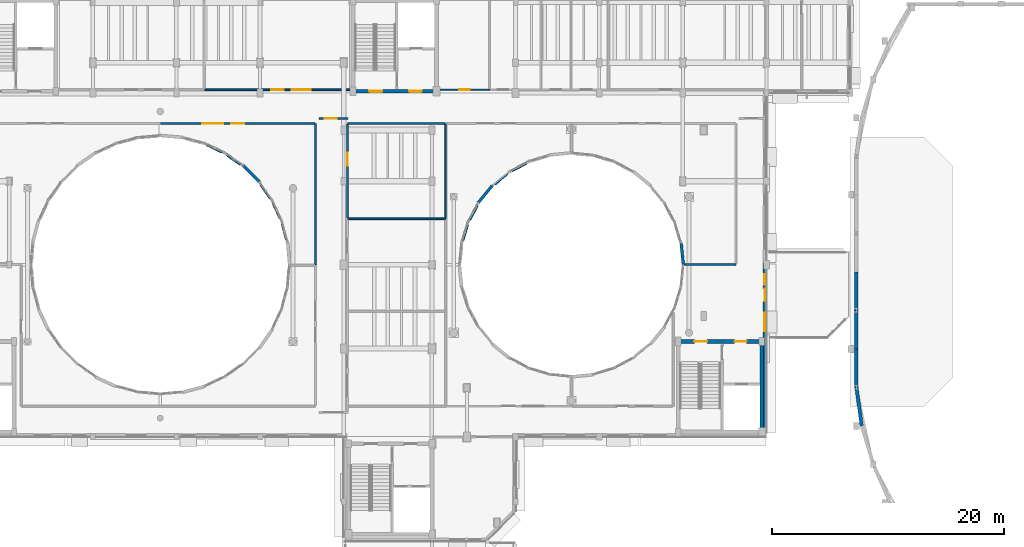
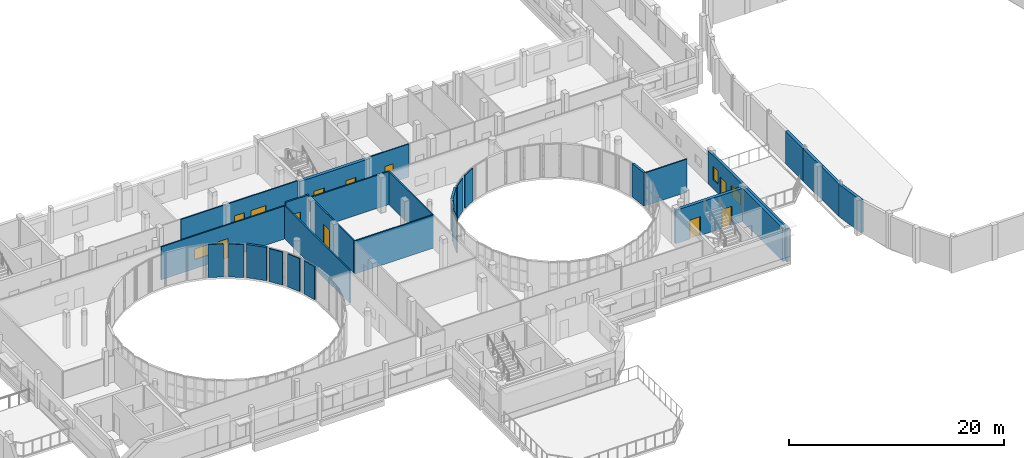
# One storey, part 70 of 89: 30 walls, 10 doors, 4 windows, 14 openings.
"""IFC4 building model written with IfcOpenShell, lengths in metres."""

from ifc_helpers import new_model, si_unit, direction, frame, frame_2d, origin, place, context, subcontext, project, spatial, rectangle, extrude, material, layer, layer_set, type_object, element, fill, save


model = new_model("IFC4")

# Units and contexts
model_context = context("Model", 3, precision=1e-05, world=origin(), true_north=direction((0.0, 1.0)))
body_context = subcontext(model_context, "Body", "Model", "MODEL_VIEW")
ifc_project = project(units=[si_unit("LENGTHUNIT", "METRE"), si_unit("AREAUNIT", "SQUARE_METRE"), si_unit("VOLUMEUNIT", "CUBIC_METRE"), si_unit("PLANEANGLEUNIT", "RADIAN"), si_unit("MASSUNIT", "GRAM", prefix="KILO")], contexts=[model_context])

# Site, building, storey
site_placement = place(None, origin())
site = spatial("IfcSite", under=ifc_project, at=site_placement, CompositionType="ELEMENT")
building_placement = place(site_placement, origin())
building = spatial("IfcBuilding", under=site, at=building_placement, Name="Kelanivale Promenade Academy", CompositionType="ELEMENT")
storey_placement = place(building_placement, frame((0.0, 0.0, 12.199951171875)))
storey = spatial("IfcBuildingStorey", under=building, at=storey_placement, Name="L03", CompositionType="ELEMENT", Elevation=12.199951171875)

# Wall, openings, doors
ifc_material_1 = material(Name="Concrete C40/50", Category="concrete")
ifc_layer_1 = layer(ifc_material_1, 0.330078125)
ifc_layer_set_1 = layer_set([ifc_layer_1], Name="Concrete C40/50")
wall_type_1 = type_object("IfcWallType", Name="CW-S1 Wall 330mm", PredefinedType="SHEAR", material=ifc_layer_set_1)
wall_1_placement = place(storey_placement, frame((79.8349609375, 71.75, 0.0), z_axis=(0.0, 0.0, 1.0), x_axis=(1.0, 0.0, 0.0)))
wall_1 = element("IfcWall", 1, at=wall_1_placement, inside=storey, type_object=wall_type_1, Name="CORE-2 RC shear wall S L03", PredefinedType="SHEAR", context=body_context, shape_type="SweptSolid", body=[
    extrude(rectangle(XDim=7.530029296875, YDim=0.330078125, at=frame_2d((3.76513671875, 0.0))), origin(), (0.0, 0.0, 1.0), 3.780029296875),
])
opening_1_placement = place(wall_1_placement, frame((5.014892578125, 0.0, 0.0)))
opening_1 = element("IfcOpeningElement", 2, at=opening_1_placement, cuts=wall_1, Name="Opening FD-CORE-2-LB-L03", PredefinedType="OPENING", context=body_context, shape_type="SweptSolid", body=[
    extrude(rectangle(XDim=1.050048828125, YDim=2.14990234375, at=frame_2d((0.52490234375, 1.074951171875))), frame((0.0, 0.175048828125, 0.0), z_axis=(0.0, -1.0, 0.0), x_axis=(1.0, 0.0, 0.0)), (0.0, 0.0, 1.0), 0.35009765625),
])
opening_2_placement = place(wall_1_placement, frame((1.56494140625, 0.0, 0.0)))
opening_2 = element("IfcOpeningElement", 3, at=opening_2_placement, cuts=wall_1, Name="Opening FD-CORE-2-ST-L03", PredefinedType="OPENING", context=body_context, shape_type="SweptSolid", body=[
    extrude(rectangle(XDim=1.10009765625, YDim=2.14990234375, at=frame_2d((0.550048828125, 1.074951171875))), frame((0.0, 0.175048828125, 0.0), z_axis=(0.0, -1.0, 0.0), x_axis=(1.0, 0.0, 0.0)), (0.0, 0.0, 1.0), 0.35009765625),
])
ifc_material_2 = material(Name="Fire-rated steel-core teak veneer", Category="steel")
door_type_1 = type_object("IfcDoorType", Name="DT-F01 Door 1100x2150", OperationType="NOTDEFINED", PredefinedType="DOOR", material=ifc_material_2)
door_1_placement = place(opening_2_placement, frame((1.10009765625, 0.0, 0.0), z_axis=(0.0, 0.0, 1.0), x_axis=(-1.0, 0.0, 0.0)))
door_1 = element("IfcDoor", 4, at=door_1_placement, inside=storey, type_object=door_type_1, Name="CORE-2 protected stair fire door L03", OperationType="SINGLE_SWING_RIGHT", OverallHeight=2.14990234375, OverallWidth=1.10009765625, PredefinedType="DOOR", context=body_context, shape_type="SweptSolid", body=[
    extrude(rectangle(XDim=1.10009765625, YDim=2.14990234375, at=frame_2d((0.550048828125, 1.074951171875))), frame((0.0, 0.02490234375, 0.0), z_axis=(0.0, -1.0, 0.0), x_axis=(1.0, 0.0, 0.0)), (0.0, 0.0, 1.0), 0.050048828125),
])
fill(opening_2, door_1)
door_type_2 = type_object("IfcDoorType", Name="DT-F03 Door 1050x2150", OperationType="NOTDEFINED", PredefinedType="DOOR", material=ifc_material_2)
door_2_placement = place(opening_1_placement, origin())
door_2 = element("IfcDoor", 5, at=door_2_placement, inside=storey, type_object=door_type_2, Name="CORE-2 corridor-to-lobby fire door L03", OperationType="SINGLE_SWING_LEFT", OverallHeight=2.14990234375, OverallWidth=1.050048828125, PredefinedType="DOOR", context=body_context, shape_type="SweptSolid", body=[
    extrude(rectangle(XDim=1.050048828125, YDim=2.14990234375, at=frame_2d((0.52490234375, 1.074951171875))), frame((0.0, 0.02490234375, 0.0), z_axis=(0.0, -1.0, 0.0), x_axis=(1.0, 0.0, 0.0)), (0.0, 0.0, 1.0), 0.050048828125),
])
fill(opening_1, door_2)

wall_2_placement = place(storey_placement, frame((107.8349609375, 50.199951171875, 0.0), z_axis=(0.0, 0.0, 1.0), x_axis=(1.0, 0.0, 0.0)))
wall_2 = element("IfcWall", 6, at=wall_2_placement, inside=storey, type_object=wall_type_1, Name="CORE-3 RC shear wall N L03", PredefinedType="SHEAR", context=body_context, shape_type="SweptSolid", body=[
    extrude(rectangle(XDim=7.530029296875, YDim=0.330078125, at=frame_2d((3.76513671875, 0.0))), origin(), (0.0, 0.0, 1.0), 3.780029296875),
])
opening_3_placement = place(wall_2_placement, frame((5.014892578125, 0.0, 0.0)))
opening_3 = element("IfcOpeningElement", 7, at=opening_3_placement, cuts=wall_2, Name="Opening FD-CORE-3-LB-L03", PredefinedType="OPENING", context=body_context, shape_type="SweptSolid", body=[
    extrude(rectangle(XDim=1.050048828125, YDim=2.14990234375, at=frame_2d((0.52490234375, 1.074951171875))), frame((0.0, 0.175048828125, 0.0), z_axis=(0.0, -1.0, 0.0), x_axis=(1.0, 0.0, 0.0)), (0.0, 0.0, 1.0), 0.35009765625),
])
opening_4_placement = place(wall_2_placement, frame((1.56494140625, 0.0, 0.0)))
opening_4 = element("IfcOpeningElement", 8, at=opening_4_placement, cuts=wall_2, Name="Opening FD-CORE-3-ST-L03", PredefinedType="OPENING", context=body_context, shape_type="SweptSolid", body=[
    extrude(rectangle(XDim=1.10009765625, YDim=2.14990234375, at=frame_2d((0.550048828125, 1.074951171875))), frame((0.0, 0.175048828125, 0.0), z_axis=(0.0, -1.0, 0.0), x_axis=(1.0, 0.0, 0.0)), (0.0, 0.0, 1.0), 0.35009765625),
])
door_3_placement = place(opening_4_placement, origin())
door_3 = element("IfcDoor", 9, at=door_3_placement, inside=storey, type_object=door_type_1, Name="CORE-3 protected stair fire door L03", OperationType="SINGLE_SWING_RIGHT", OverallHeight=2.14990234375, OverallWidth=1.10009765625, PredefinedType="DOOR", context=body_context, shape_type="SweptSolid", body=[
    extrude(rectangle(XDim=1.10009765625, YDim=2.14990234375, at=frame_2d((0.550048828125, 1.074951171875))), frame((0.0, 0.02490234375, 0.0), z_axis=(0.0, -1.0, 0.0), x_axis=(1.0, 0.0, 0.0)), (0.0, 0.0, 1.0), 0.050048828125),
])
fill(opening_4, door_3)
door_4_placement = place(opening_3_placement, origin())
door_4 = element("IfcDoor", 10, at=door_4_placement, inside=storey, type_object=door_type_2, Name="CORE-3 corridor-to-lobby fire door L03", OperationType="SINGLE_SWING_LEFT", OverallHeight=2.14990234375, OverallWidth=1.050048828125, PredefinedType="DOOR", context=body_context, shape_type="SweptSolid", body=[
    extrude(rectangle(XDim=1.050048828125, YDim=2.14990234375, at=frame_2d((0.52490234375, 1.074951171875))), frame((0.0, 0.02490234375, 0.0), z_axis=(0.0, -1.0, 0.0), x_axis=(1.0, 0.0, 0.0)), (0.0, 0.0, 1.0), 0.050048828125),
])
fill(opening_3, door_4)

# Walls
wall_3_placement = place(storey_placement, frame((115.199951171875, 42.56494140625, 0.0), z_axis=(0.0, 0.0, 1.0), x_axis=(0.0, 1.0, 0.0)))
element("IfcWall", 11, at=wall_3_placement, inside=storey, type_object=wall_type_1, Name="CORE-3 RC shear wall E L03", PredefinedType="SHEAR", context=body_context, shape_type="SweptSolid", body=[
    extrude(rectangle(XDim=7.469970703125, YDim=0.330078125, at=frame_2d((3.73486328125, 0.0))), origin(), (0.0, 0.0, 1.0), 3.780029296875),
])
ifc_material_3 = material(Name="Insulated terracotta-clad masonry wall 300 mm", Category="masonry")
ifc_layer_2 = layer(ifc_material_3, 0.300048828125)
ifc_layer_set_2 = layer_set([ifc_layer_2], Name="Insulated terracotta-clad masonry wall 300 mm")
wall_type_2 = type_object("IfcWallType", Name="EW-01 Wall 300mm", PredefinedType="SOLIDWALL", material=ifc_layer_set_2)
wall_4_placement = place(storey_placement, frame((123.35009765625, 46.257080078125, 0.0), z_axis=(0.0, 0.0, 1.0), x_axis=(0.134539839792, -0.990908185206, 0.0)))
element("IfcWall", 12, at=wall_4_placement, inside=storey, type_object=wall_type_2, Name="Assembly Hall Arc Pavilion inner crescent wall L03", PredefinedType="SOLIDWALL", context=body_context, shape_type="SweptSolid", body=[
    extrude(rectangle(XDim=3.344482421875, YDim=0.300048828125, at=frame_2d((1.67236328125, 0.0))), origin(), (0.0, 0.0, 1.0), 3.695068359375),
])
wall_5_placement = place(storey_placement, frame((123.35009765625, 49.571044921875, 0.0), z_axis=(0.0, 0.0, 1.0), x_axis=(0.0, -1.0, 0.0)))
element("IfcWall", 13, at=wall_5_placement, inside=storey, type_object=wall_type_2, Name="Assembly Hall Arc Pavilion inner crescent wall L03", PredefinedType="SOLIDWALL", context=body_context, shape_type="SweptSolid", body=[
    extrude(rectangle(XDim=3.31396484375, YDim=0.300048828125, at=frame_2d((1.656982421875, 0.0))), origin(), (0.0, 0.0, 1.0), 3.695068359375),
])
wall_6_placement = place(storey_placement, frame((123.35009765625, 52.885986328125, 0.0), z_axis=(0.0, 0.0, 1.0), x_axis=(0.0, -1.0, 0.0)))
element("IfcWall", 14, at=wall_6_placement, inside=storey, type_object=wall_type_2, Name="Assembly Hall Arc Pavilion inner crescent wall L03", PredefinedType="SOLIDWALL", context=body_context, shape_type="SweptSolid", body=[
    extrude(rectangle(XDim=3.31494140625, YDim=0.300048828125, at=frame_2d((1.657470703125, 0.0))), origin(), (0.0, 0.0, 1.0), 3.695068359375),
])
wall_7_placement = place(storey_placement, frame((123.35009765625, 56.199951171875, 0.0), z_axis=(0.0, 0.0, 1.0), x_axis=(0.0, -1.0, 0.0)))
element("IfcWall", 15, at=wall_7_placement, inside=storey, type_object=wall_type_2, Name="Assembly Hall Arc Pavilion inner crescent wall L03", PredefinedType="SOLIDWALL", context=body_context, shape_type="SweptSolid", body=[
    extrude(rectangle(XDim=3.31396484375, YDim=0.300048828125, at=frame_2d((1.656982421875, 0.0))), origin(), (0.0, 0.0, 1.0), 3.695068359375),
])

# Wall, openings, door, windows
ifc_material_4 = material(Name="Insulated ivory stucco masonry wall 280 mm", Category="masonry")
ifc_layer_3 = layer(ifc_material_4, 0.280029296875)
ifc_layer_set_3 = layer_set([ifc_layer_3], Name="Insulated ivory stucco masonry wall 280 mm")
wall_type_3 = type_object("IfcWallType", Name="EW-02 Wall 280mm", PredefinedType="SOLIDWALL", material=ifc_layer_set_3)
wall_8_placement = place(storey_placement, frame((115.4599609375, 42.280029296875, 0.0), z_axis=(0.0, 0.0, 1.0), x_axis=(0.0, 1.0, 0.0)))
wall_8 = element("IfcWall", 16, at=wall_8_placement, inside=storey, type_object=wall_type_3, Name="L03 exterior facade wall EW-L03-ORT-0470", PredefinedType="SOLIDWALL", context=body_context, shape_type="SweptSolid", body=[
    extrude(rectangle(XDim=14.659912109375, YDim=0.280029296875, at=frame_2d((7.330078125, 0.0))), origin(), (0.0, 0.0, 1.0), 3.780029296875),
])
opening_5_placement = place(wall_8_placement, frame((11.3701171875, 0.0, 0.0)))
opening_5 = element("IfcOpeningElement", 17, at=opening_5_placement, cuts=wall_8, Name="Opening XD-303", PredefinedType="OPENING", context=body_context, shape_type="SweptSolid", body=[
    extrude(rectangle(XDim=1.10009765625, YDim=2.14990234375, at=frame_2d((0.550048828125, 1.074951171875))), frame((0.0, 0.14990234375, 0.0), z_axis=(0.0, -1.0, 0.0), x_axis=(1.0, 0.0, 0.0)), (0.0, 0.0, 1.0), 0.300048828125),
])
opening_6_placement = place(wall_8_placement, frame((8.81201171875, 0.0, 1.050048828125)))
opening_6 = element("IfcOpeningElement", 18, at=opening_6_placement, cuts=wall_8, Name="Opening WT-07", PredefinedType="OPENING", context=body_context, shape_type="SweptSolid", body=[
    extrude(rectangle(XDim=1.60009765625, YDim=1.35009765625, at=frame_2d((0.800048828125, 0.675048828125))), frame((0.0, 0.14990234375, 0.0), z_axis=(0.0, -1.0, 0.0), x_axis=(1.0, 0.0, 0.0)), (0.0, 0.0, 1.0), 0.300048828125),
])
opening_7_placement = place(wall_8_placement, frame((12.826904296875, 0.0, 1.050048828125)))
opening_7 = element("IfcOpeningElement", 19, at=opening_7_placement, cuts=wall_8, Name="Opening WT-06", PredefinedType="OPENING", context=body_context, shape_type="SweptSolid", body=[
    extrude(rectangle(XDim=0.89990234375, YDim=1.5, at=frame_2d((0.449951171875, 0.75))), frame((0.0, 0.14990234375, 0.0), z_axis=(0.0, -1.0, 0.0), x_axis=(1.0, 0.0, 0.0)), (0.0, 0.0, 1.0), 0.300048828125),
])
ifc_material_5 = material(Name="Bronze anodised aluminium and laminated glass", Category="aluminium")
door_type_3 = type_object("IfcDoorType", Name="DT-X07 Door 1100x2150", OperationType="NOTDEFINED", PredefinedType="DOOR", material=ifc_material_5)
door_5_placement = place(opening_5_placement, frame((1.10009765625, 0.0, 0.0), z_axis=(0.0, 0.0, 1.0), x_axis=(-1.0, 0.0, 0.0)))
door_5 = element("IfcDoor", 20, at=door_5_placement, inside=storey, type_object=door_type_3, Name="L03 Assembly Shoulder Observation Deck door XD-303", OperationType="SINGLE_SWING_RIGHT", OverallHeight=2.14990234375, OverallWidth=1.10009765625, PredefinedType="DOOR", context=body_context, shape_type="SweptSolid", body=[
    extrude(rectangle(XDim=1.10009765625, YDim=2.14990234375, at=frame_2d((0.550048828125, 1.074951171875))), frame((0.0, 0.02490234375, 0.0), z_axis=(0.0, -1.0, 0.0), x_axis=(1.0, 0.0, 0.0)), (0.0, 0.0, 1.0), 0.050048828125),
])
fill(opening_5, door_5)
ifc_material_6 = material(Name="Bronze anodised aluminium frame with low-E laminated glass", Category="aluminium")
window_type_1 = type_object("IfcWindowType", Name="WT-06 Window 900x1500", PartitioningType="SINGLE_PANEL", PredefinedType="WINDOW", material=ifc_material_6)
window_1_placement = place(opening_7_placement, origin())
window_1 = element("IfcWindow", 21, at=window_1_placement, inside=storey, type_object=window_type_1, Name="Window WT-06", OverallHeight=1.5, OverallWidth=0.89990234375, PartitioningType="SINGLE_PANEL", PredefinedType="WINDOW", context=body_context, shape_type="SweptSolid", body=[
    extrude(rectangle(XDim=0.89990234375, YDim=1.5, at=frame_2d((0.449951171875, 0.75))), frame((0.0, 0.030029296875, 0.0), z_axis=(0.0, -1.0, 0.0), x_axis=(1.0, 0.0, 0.0)), (0.0, 0.0, 1.0), 0.06005859375),
])
fill(opening_7, window_1)
window_type_2 = type_object("IfcWindowType", Name="WT-07 Window 1600x1350", PartitioningType="SINGLE_PANEL", PredefinedType="WINDOW", material=ifc_material_6)
window_2_placement = place(opening_6_placement, origin())
window_2 = element("IfcWindow", 22, at=window_2_placement, inside=storey, type_object=window_type_2, Name="Window WT-07", OverallHeight=1.35009765625, OverallWidth=1.60009765625, PartitioningType="SINGLE_PANEL", PredefinedType="WINDOW", context=body_context, shape_type="SweptSolid", body=[
    extrude(rectangle(XDim=1.60009765625, YDim=1.35009765625, at=frame_2d((0.800048828125, 0.675048828125))), frame((0.0, 0.030029296875, 0.0), z_axis=(0.0, -1.0, 0.0), x_axis=(1.0, 0.0, 0.0)), (0.0, 0.0, 1.0), 0.06005859375),
])
fill(opening_6, window_2)

# Walls
ifc_material_7 = material(Name="Insulated courtyard stucco masonry wall 240 mm", Category="masonry")
ifc_layer_4 = layer(ifc_material_7, 0.239990234375)
ifc_layer_set_4 = layer_set([ifc_layer_4], Name="Insulated courtyard stucco masonry wall 240 mm")
wall_type_4 = type_object("IfcWallType", Name="EW-04 Wall 240mm", PredefinedType="SOLIDWALL", material=ifc_layer_set_4)
wall_9_placement = place(storey_placement, frame((91.989990234375, 63.6259765625, 0.0), z_axis=(0.0, 0.0, 1.0), x_axis=(-0.634363572305, -0.773034836299, 0.0)))
element("IfcWall", 23, at=wall_9_placement, inside=storey, type_object=wall_type_4, Name="L03 round courtyard stucco wall", PredefinedType="SOLIDWALL", context=body_context, shape_type="SweptSolid", body=[
    extrude(rectangle(XDim=1.911865234375, YDim=0.239990234375, at=frame_2d((0.9560546875, 0.0))), origin(), (0.0, 0.0, 1.0), 3.780029296875),
])
wall_10_placement = place(storey_placement, frame((108.44091796875, 56.7890625, 0.0), z_axis=(0.0, 0.0, 1.0), x_axis=(-0.097809488078, 0.99520515676, 0.0)))
element("IfcWall", 24, at=wall_10_placement, inside=storey, type_object=wall_type_4, Name="L03 round courtyard stucco wall", PredefinedType="SOLIDWALL", context=body_context, shape_type="SweptSolid", body=[
    extrude(rectangle(XDim=1.912109375, YDim=0.239990234375, at=frame_2d((0.9560546875, 0.0))), origin(), (0.0, 0.0, 1.0), 3.780029296875),
])
wall_11_placement = place(storey_placement, frame((71.943115234375, 63.951904296875, 0.0), z_axis=(0.0, 0.0, 1.0), x_axis=(-0.707106781187, 0.707106781187, 0.0)))
element("IfcWall", 25, at=wall_11_placement, inside=storey, type_object=wall_type_4, Name="L03 round courtyard stucco wall", PredefinedType="SOLIDWALL", context=body_context, shape_type="SweptSolid", body=[
    extrude(rectangle(XDim=1.96728515625, YDim=0.239990234375, at=frame_2d((0.983642578125, 0.0))), origin(), (0.0, 0.0, 1.0), 3.780029296875),
])

# Wall, opening, door
ifc_material_8 = material(Name="Autoclaved masonry blockwork 180 mm", Category="masonry")
ifc_layer_5 = layer(ifc_material_8, 0.179931640625)
ifc_layer_set_5 = layer_set([ifc_layer_5], Name="Autoclaved masonry blockwork 180 mm")
wall_type_5 = type_object("IfcWallType", Name="IW-02 Wall 180mm", PredefinedType="PARTITIONING", material=ifc_layer_set_5)
wall_12_placement = place(storey_placement, frame((77.050048828125, 69.39990234375, 0.0), z_axis=(0.0, 0.0, 1.0), x_axis=(1.0, 0.0, 0.0)))
wall_12 = element("IfcWall", 26, at=wall_12_placement, inside=storey, type_object=wall_type_5, Name="L03 cross-corridor fire wall", PredefinedType="PARTITIONING", context=body_context, shape_type="SweptSolid", body=[
    extrude(rectangle(XDim=2.5, YDim=0.179931640625, at=frame_2d((1.25, 0.0))), origin(), (0.0, 0.0, 1.0), 3.780029296875),
])
opening_8_placement = place(wall_12_placement, frame((0.507080078125, 0.0, 0.0)))
opening_8 = element("IfcOpeningElement", 27, at=opening_8_placement, cuts=wall_12, Name="Opening FD-L03-CC-145", PredefinedType="OPENING", context=body_context, shape_type="SweptSolid", body=[
    extrude(rectangle(XDim=1.050048828125, YDim=2.14990234375, at=frame_2d((0.52490234375, 1.074951171875))), frame((0.0, 0.10009765625, 0.0), z_axis=(0.0, -1.0, 0.0), x_axis=(1.0, 0.0, 0.0)), (0.0, 0.0, 1.0), 0.199951171875),
])
door_6_placement = place(opening_8_placement, origin())
door_6 = element("IfcDoor", 28, at=door_6_placement, inside=storey, type_object=door_type_2, Name="L03 cross-corridor fire door FD-L03-CC-145", OperationType="SINGLE_SWING_LEFT", OverallHeight=2.14990234375, OverallWidth=1.050048828125, PredefinedType="DOOR", context=body_context, shape_type="SweptSolid", body=[
    extrude(rectangle(XDim=1.050048828125, YDim=2.14990234375, at=frame_2d((0.52490234375, 1.074951171875))), frame((0.0, 0.02490234375, 0.0), z_axis=(0.0, -1.0, 0.0), x_axis=(1.0, 0.0, 0.0)), (0.0, 0.0, 1.0), 0.050048828125),
])
fill(opening_8, door_6)

# Walls
ifc_material_9 = material(Name="Acoustic double-stud gypsum board partition 140 mm", Category="masonry")
ifc_layer_6 = layer(ifc_material_9, 0.139892578125)
ifc_layer_set_6 = layer_set([ifc_layer_6], Name="Acoustic double-stud gypsum board partition 140 mm")
wall_type_6 = type_object("IfcWallType", Name="IW-04 Wall 140mm", PredefinedType="PARTITIONING", material=ifc_layer_set_6)
wall_13_placement = place(storey_placement, frame((87.969970703125, 60.77001953125, 0.0), z_axis=(0.0, 0.0, 1.0), x_axis=(-1.0, 0.0, 0.0)))
element("IfcWall", 29, at=wall_13_placement, inside=storey, type_object=wall_type_6, Name="L03 partition Art Studio", PredefinedType="PARTITIONING", context=body_context, shape_type="SweptSolid", body=[
    extrude(rectangle(XDim=8.43994140625, YDim=0.139892578125, at=frame_2d((4.219970703125, 0.0))), origin(), (0.0, 0.0, 1.0), 3.755126953125),
])
wall_14_placement = place(storey_placement, frame((87.969970703125, 60.837890625, 0.0), z_axis=(0.0, 0.0, 1.0), x_axis=(0.0, 1.0, 0.0)))
element("IfcWall", 30, at=wall_14_placement, inside=storey, type_object=wall_type_6, Name="L03 partition Ceramics Workshop", PredefinedType="PARTITIONING", context=body_context, shape_type="SweptSolid", body=[
    extrude(rectangle(XDim=8.132080078125, YDim=0.139892578125, at=frame_2d((4.06591796875, 0.0))), origin(), (0.0, 0.0, 1.0), 3.755126953125),
])
wall_15_placement = place(storey_placement, frame((87.902099609375, 68.969970703125, 0.0), z_axis=(0.0, 0.0, 1.0), x_axis=(-1.0, 0.0, 0.0)))
element("IfcWall", 31, at=wall_15_placement, inside=storey, type_object=wall_type_6, Name="L03 partition Ceramics Workshop", PredefinedType="PARTITIONING", context=body_context, shape_type="SweptSolid", body=[
    extrude(rectangle(XDim=8.3720703125, YDim=0.139892578125, at=frame_2d((4.18603515625, 0.0))), origin(), (0.0, 0.0, 1.0), 3.755126953125),
])

# Wall, opening, door
wall_16_placement = place(storey_placement, frame((79.530029296875, 68.902099609375, 0.0), z_axis=(0.0, 0.0, 1.0), x_axis=(0.0, -1.0, 0.0)))
wall_16 = element("IfcWall", 32, at=wall_16_placement, inside=storey, type_object=wall_type_6, Name="L03 partition Ceramics Workshop", PredefinedType="PARTITIONING", context=body_context, shape_type="SweptSolid", body=[
    extrude(rectangle(XDim=8.064208984375, YDim=0.139892578125, at=frame_2d((4.0322265625, 0.0))), origin(), (0.0, 0.0, 1.0), 3.755126953125),
])
opening_9_placement = place(wall_16_placement, frame((2.429931640625, 0.0, 0.0)))
opening_9 = element("IfcOpeningElement", 33, at=opening_9_placement, cuts=wall_16, Name="Opening ID-L03-152", PredefinedType="OPENING", context=body_context, shape_type="SweptSolid", body=[
    extrude(rectangle(XDim=1.1201171875, YDim=2.179931640625, at=frame_2d((0.56005859375, 1.08984375))), frame((0.0, 0.080078125, 0.0), z_axis=(0.0, -1.0, 0.0), x_axis=(1.0, 0.0, 0.0)), (0.0, 0.0, 1.0), 0.159912109375),
])
ifc_material_10 = material(Name="Solid-core tropical teak timber", Category="wood")
door_type_4 = type_object("IfcDoorType", Name="DT-I17 Door 1120x2180", OperationType="NOTDEFINED", PredefinedType="DOOR", material=ifc_material_10)
door_7_placement = place(opening_9_placement, origin())
door_7 = element("IfcDoor", 34, at=door_7_placement, inside=storey, type_object=door_type_4, Name="Ceramics Workshop door ID-L03-152", OperationType="SINGLE_SWING_LEFT", OverallHeight=2.179931640625, OverallWidth=1.1201171875, PredefinedType="DOOR", context=body_context, shape_type="SweptSolid", body=[
    extrude(rectangle(XDim=1.1201171875, YDim=2.179931640625, at=frame_2d((0.56005859375, 1.08984375))), frame((0.0, 0.02490234375, 0.0), z_axis=(0.0, -1.0, 0.0), x_axis=(1.0, 0.0, 0.0)), (0.0, 0.0, 1.0), 0.050048828125),
])
fill(opening_9, door_7)

# Walls
wall_17_placement = place(storey_placement, frame((73.8701171875, 60.3359375, 0.0), z_axis=(0.0, 0.0, 1.0), x_axis=(0.258491202719, -0.966013611766, 0.0)))
element("IfcWall", 35, at=wall_17_placement, inside=storey, type_object=wall_type_6, Name="L03 partition Ceramics Workshop Courtyard North", PredefinedType="PARTITIONING", context=body_context, shape_type="SweptSolid", body=[
    extrude(rectangle(XDim=1.412109375, YDim=0.139892578125, at=frame_2d((0.7060546875, 0.0))), origin(), (0.0, 0.0, 1.0), 3.755126953125),
])
wall_18_placement = place(storey_placement, frame((76.77001953125, 56.830078125, 0.0), z_axis=(0.0, 0.0, 1.0), x_axis=(0.0, 1.0, 0.0)))
element("IfcWall", 36, at=wall_18_placement, inside=storey, type_object=wall_type_6, Name="L03 partition Ceramics Workshop Courtyard North", PredefinedType="PARTITIONING", context=body_context, shape_type="SweptSolid", body=[
    extrude(rectangle(XDim=12.139892578125, YDim=0.139892578125, at=frame_2d((6.06982421875, 0.0))), origin(), (0.0, 0.0, 1.0), 3.755126953125),
])

# Wall, openings, door, window
wall_19_placement = place(storey_placement, frame((76.701904296875, 68.969970703125, 0.0), z_axis=(0.0, 0.0, 1.0), x_axis=(-1.0, 0.0, 0.0)))
wall_19 = element("IfcWall", 37, at=wall_19_placement, inside=storey, type_object=wall_type_6, Name="L03 partition Ceramics Workshop Courtyard North", PredefinedType="PARTITIONING", context=body_context, shape_type="SweptSolid", body=[
    extrude(rectangle(XDim=13.27197265625, YDim=0.139892578125, at=frame_2d((6.635986328125, 0.0))), origin(), (0.0, 0.0, 1.0), 3.755126953125),
])
opening_10_placement = place(wall_19_placement, frame((6.075927734375, 0.0, 0.0)))
opening_10 = element("IfcOpeningElement", 38, at=opening_10_placement, cuts=wall_19, Name="Opening ID-L03-156", PredefinedType="OPENING", context=body_context, shape_type="SweptSolid", body=[
    extrude(rectangle(XDim=1.1201171875, YDim=2.179931640625, at=frame_2d((0.56005859375, 1.08984375))), frame((0.0, 0.080078125, 0.0), z_axis=(0.0, -1.0, 0.0), x_axis=(1.0, 0.0, 0.0)), (0.0, 0.0, 1.0), 0.159912109375),
])
opening_11_placement = place(wall_19_placement, frame((7.89599609375, 0.0, 1.050048828125)))
opening_11 = element("IfcOpeningElement", 39, at=opening_11_placement, cuts=wall_19, Name="Opening WT-I02", PredefinedType="OPENING", context=body_context, shape_type="SweptSolid", body=[
    extrude(rectangle(XDim=1.800048828125, YDim=1.199951171875, at=frame_2d((0.89990234375, 0.60009765625))), frame((0.0, 0.080078125, 0.0), z_axis=(0.0, -1.0, 0.0), x_axis=(1.0, 0.0, 0.0)), (0.0, 0.0, 1.0), 0.159912109375),
])
door_8_placement = place(opening_10_placement, origin())
door_8 = element("IfcDoor", 40, at=door_8_placement, inside=storey, type_object=door_type_4, Name="Ceramics Workshop Courtyard North door ID-L03-156", OperationType="SINGLE_SWING_LEFT", OverallHeight=2.179931640625, OverallWidth=1.1201171875, PredefinedType="DOOR", context=body_context, shape_type="SweptSolid", body=[
    extrude(rectangle(XDim=1.1201171875, YDim=2.179931640625, at=frame_2d((0.56005859375, 1.08984375))), frame((0.0, 0.02490234375, 0.0), z_axis=(0.0, -1.0, 0.0), x_axis=(1.0, 0.0, 0.0)), (0.0, 0.0, 1.0), 0.050048828125),
])
fill(opening_10, door_8)
window_type_3 = type_object("IfcWindowType", Name="WT-I02 Window 1800x1200", PartitioningType="SINGLE_PANEL", PredefinedType="WINDOW", material=ifc_material_6)
window_3_placement = place(opening_11_placement, origin())
window_3 = element("IfcWindow", 41, at=window_3_placement, inside=storey, type_object=window_type_3, Name="Interior observation window WT-I02", OverallHeight=1.199951171875, OverallWidth=1.800048828125, PartitioningType="SINGLE_PANEL", PredefinedType="WINDOW", context=body_context, shape_type="SweptSolid", body=[
    extrude(rectangle(XDim=1.800048828125, YDim=1.199951171875, at=frame_2d((0.89990234375, 0.60009765625))), frame((0.0, 0.030029296875, 0.0), z_axis=(0.0, -1.0, 0.0), x_axis=(1.0, 0.0, 0.0)), (0.0, 0.0, 1.0), 0.06005859375),
])
fill(opening_11, window_3)

# Walls
wall_20_placement = place(storey_placement, frame((67.4208984375, 67.093994140625, 0.0), z_axis=(0.0, 0.0, 1.0), x_axis=(0.906032979506, -0.423207088844, 0.0)))
element("IfcWall", 42, at=wall_20_placement, inside=storey, type_object=wall_type_6, Name="L03 partition Ceramics Workshop Courtyard North", PredefinedType="PARTITIONING", context=body_context, shape_type="SweptSolid", body=[
    extrude(rectangle(XDim=1.412841796875, YDim=0.139892578125, at=frame_2d((0.70654296875, 0.0))), origin(), (0.0, 0.0, 1.0), 3.755126953125),
])
for number, where, z_axis, x_axis, name in (
    (43, (69.14697265625, 66.239013671875, 0.0), (0.0, 0.0, 1.0), (0.819077743108, -0.57368253481, 0.0), "L03 partition Ceramics Workshop Courtyard North"),
    (44, (72.028076171875, 63.705078125, 0.0), (0.0, 0.0, 1.0), (0.57368253481, -0.819077743108, 0.0), "L03 partition Ceramics Workshop Courtyard North"),
):
    element("IfcWall", number, at=place(storey_placement, frame(where, z_axis=z_axis, x_axis=x_axis)), inside=storey, type_object=wall_type_6, Name=name, PredefinedType="PARTITIONING", context=body_context, shape_type="SweptSolid", body=[
        extrude(rectangle(XDim=1.413818359375, YDim=0.139892578125, at=frame_2d((0.70703125, 0.0))), origin(), (0.0, 0.0, 1.0), 3.755126953125),
    ])
wall_21_placement = place(storey_placement, frame((73.095947265625, 62.10107421875, 0.0), z_axis=(0.0, 0.0, 1.0), x_axis=(0.423348930736, -0.905966711775, 0.0)))
element("IfcWall", 45, at=wall_21_placement, inside=storey, type_object=wall_type_6, Name="L03 partition Ceramics Workshop Courtyard North", PredefinedType="PARTITIONING", context=body_context, shape_type="SweptSolid", body=[
    extrude(rectangle(XDim=1.412841796875, YDim=0.139892578125, at=frame_2d((0.70654296875, 0.0))), origin(), (0.0, 0.0, 1.0), 3.755126953125),
])
wall_22_placement = place(storey_placement, frame((108.555908203125, 56.830078125, 0.0), z_axis=(0.0, 0.0, 1.0), x_axis=(1.0, 0.0, 0.0)))
element("IfcWall", 46, at=wall_22_placement, inside=storey, type_object=wall_type_6, Name="L03 partition Art Studio East B", PredefinedType="PARTITIONING", context=body_context, shape_type="SweptSolid", body=[
    extrude(rectangle(XDim=4.4140625, YDim=0.139892578125, at=frame_2d((2.20703125, 0.0))), origin(), (0.0, 0.0, 1.0), 3.755126953125),
])
wall_23_placement = place(storey_placement, frame((92.23291015625, 63.73193359375, 0.0), z_axis=(0.0, 0.0, 1.0), x_axis=(0.772962530207, 0.634451674201, 0.0)))
element("IfcWall", 47, at=wall_23_placement, inside=storey, type_object=wall_type_6, Name="L03 partition Art Studio Courtyard East-North", PredefinedType="PARTITIONING", context=body_context, shape_type="SweptSolid", body=[
    extrude(rectangle(XDim=1.357177734375, YDim=0.139892578125, at=frame_2d((0.6787109375, 0.0))), origin(), (0.0, 0.0, 1.0), 3.755126953125),
])
wall_24_placement = place(storey_placement, frame((93.7119140625, 64.8798828125, 0.0), z_axis=(0.0, 0.0, 1.0), x_axis=(0.882123740571, 0.471017734614, 0.0)))
element("IfcWall", 48, at=wall_24_placement, inside=storey, type_object=wall_type_6, Name="L03 partition Art Studio Courtyard East-North", PredefinedType="PARTITIONING", context=body_context, shape_type="SweptSolid", body=[
    extrude(rectangle(XDim=1.35693359375, YDim=0.139892578125, at=frame_2d((0.678466796875, 0.0))), origin(), (0.0, 0.0, 1.0), 3.755126953125),
])
wall_25_placement = place(storey_placement, frame((89.489013671875, 58.9150390625, 0.0), z_axis=(0.0, 0.0, 1.0), x_axis=(0.290266939661, 0.956945716193, 0.0)))
element("IfcWall", 49, at=wall_25_placement, inside=storey, type_object=wall_type_6, Name="L03 partition Art Studio Courtyard East-North", PredefinedType="PARTITIONING", context=body_context, shape_type="SweptSolid", body=[
    extrude(rectangle(XDim=1.357421875, YDim=0.139892578125, at=frame_2d((0.6787109375, 0.0))), origin(), (0.0, 0.0, 1.0), 3.755126953125),
])
wall_26_placement = place(storey_placement, frame((90.0810546875, 60.69091796875, 0.0), z_axis=(0.0, 0.0, 1.0), x_axis=(0.470877717269, 0.882198489785, 0.0)))
element("IfcWall", 50, at=wall_26_placement, inside=storey, type_object=wall_type_6, Name="L03 partition Art Studio Courtyard East-North", PredefinedType="PARTITIONING", context=body_context, shape_type="SweptSolid", body=[
    extrude(rectangle(XDim=1.35693359375, YDim=0.139892578125, at=frame_2d((0.678466796875, 0.0))), origin(), (0.0, 0.0, 1.0), 3.755126953125),
])

# Wall, openings, door, window
wall_27_placement = place(storey_placement, frame((67.22998046875, 71.8798828125, 0.0), z_axis=(0.0, 0.0, 1.0), x_axis=(1.0, 0.0, 0.0)))
wall_27 = element("IfcWall", 51, at=wall_27_placement, inside=storey, type_object=wall_type_6, Name="L03 partition Secondary Classroom North 2", PredefinedType="PARTITIONING", context=body_context, shape_type="SweptSolid", body=[
    extrude(rectangle(XDim=12.5400390625, YDim=0.139892578125, at=frame_2d((6.27001953125, 0.0))), origin(), (0.0, 0.0, 1.0), 3.775146484375),
])
opening_12_placement = place(wall_27_placement, frame((5.72998046875, 0.0, 0.0)))
opening_12 = element("IfcOpeningElement", 52, at=opening_12_placement, cuts=wall_27, Name="Opening ID-L03-167", PredefinedType="OPENING", context=body_context, shape_type="SweptSolid", body=[
    extrude(rectangle(XDim=1.080078125, YDim=2.159912109375, at=frame_2d((0.5400390625, 1.080078125))), frame((0.0, 0.080078125, 0.0), z_axis=(0.0, -1.0, 0.0), x_axis=(1.0, 0.0, 0.0)), (0.0, 0.0, 1.0), 0.159912109375),
])
opening_13_placement = place(wall_27_placement, frame((7.510009765625, 0.0, 1.050048828125)))
opening_13 = element("IfcOpeningElement", 53, at=opening_13_placement, cuts=wall_27, Name="Opening WT-I01", PredefinedType="OPENING", context=body_context, shape_type="SweptSolid", body=[
    extrude(rectangle(XDim=1.60009765625, YDim=1.10009765625, at=frame_2d((0.800048828125, 0.550048828125))), frame((0.0, 0.080078125, 0.0), z_axis=(0.0, -1.0, 0.0), x_axis=(1.0, 0.0, 0.0)), (0.0, 0.0, 1.0), 0.159912109375),
])
door_type_5 = type_object("IfcDoorType", Name="DT-I16 Door 1080x2160", OperationType="NOTDEFINED", PredefinedType="DOOR", material=ifc_material_10)
door_9_placement = place(opening_12_placement, origin())
door_9 = element("IfcDoor", 54, at=door_9_placement, inside=storey, type_object=door_type_5, Name="Secondary Classroom North 2 door ID-L03-167", OperationType="SINGLE_SWING_LEFT", OverallHeight=2.159912109375, OverallWidth=1.080078125, PredefinedType="DOOR", context=body_context, shape_type="SweptSolid", body=[
    extrude(rectangle(XDim=1.080078125, YDim=2.159912109375, at=frame_2d((0.5400390625, 1.080078125))), frame((0.0, 0.02490234375, 0.0), z_axis=(0.0, -1.0, 0.0), x_axis=(1.0, 0.0, 0.0)), (0.0, 0.0, 1.0), 0.050048828125),
])
fill(opening_12, door_9)
window_type_4 = type_object("IfcWindowType", Name="WT-I01 Window 1600x1100", PartitioningType="SINGLE_PANEL", PredefinedType="WINDOW", material=ifc_material_6)
window_4_placement = place(opening_13_placement, origin())
window_4 = element("IfcWindow", 55, at=window_4_placement, inside=storey, type_object=window_type_4, Name="Interior observation window WT-I01", OverallHeight=1.10009765625, OverallWidth=1.60009765625, PartitioningType="SINGLE_PANEL", PredefinedType="WINDOW", context=body_context, shape_type="SweptSolid", body=[
    extrude(rectangle(XDim=1.60009765625, YDim=1.10009765625, at=frame_2d((0.800048828125, 0.550048828125))), frame((0.0, 0.030029296875, 0.0), z_axis=(0.0, -1.0, 0.0), x_axis=(1.0, 0.0, 0.0)), (0.0, 0.0, 1.0), 0.06005859375),
])
fill(opening_13, window_4)

# Wall, opening, door
ifc_material_11 = material(Name="Moisture-resistant masonry wet-room partition 125 mm", Category="masonry")
ifc_layer_7 = layer(ifc_material_11, 0.125)
ifc_layer_set_7 = layer_set([ifc_layer_7], Name="Moisture-resistant masonry wet-room partition 125 mm")
wall_type_7 = type_object("IfcWallType", Name="IW-05 Wall 125mm", PredefinedType="PARTITIONING", material=ifc_layer_set_7)
wall_28_placement = place(storey_placement, frame((87.429931640625, 71.8798828125, 0.0), z_axis=(0.0, 0.0, 1.0), x_axis=(1.0, 0.0, 0.0)))
wall_28 = element("IfcWall", 56, at=wall_28_placement, inside=storey, type_object=wall_type_7, Name="L03 partition Boys Washroom", PredefinedType="PARTITIONING", context=body_context, shape_type="SweptSolid", body=[
    extrude(rectangle(XDim=4.340087890625, YDim=0.125, at=frame_2d((2.169921875, 0.0))), origin(), (0.0, 0.0, 1.0), 3.775146484375),
])
opening_14_placement = place(wall_28_placement, frame((1.719970703125, 0.0, 0.0)))
opening_14 = element("IfcOpeningElement", 57, at=opening_14_placement, cuts=wall_28, Name="Opening ID-L03-161", PredefinedType="OPENING", context=body_context, shape_type="SweptSolid", body=[
    extrude(rectangle(XDim=0.89990234375, YDim=2.10009765625, at=frame_2d((0.449951171875, 1.050048828125))), frame((0.0, 0.072509765625, 0.0), z_axis=(0.0, -1.0, 0.0), x_axis=(1.0, 0.0, 0.0)), (0.0, 0.0, 1.0), 0.14501953125),
])
door_type_6 = type_object("IfcDoorType", Name="DT-I06 Door 900x2100", OperationType="NOTDEFINED", PredefinedType="DOOR", material=ifc_material_10)
door_10_placement = place(opening_14_placement, origin())
door_10 = element("IfcDoor", 58, at=door_10_placement, inside=storey, type_object=door_type_6, Name="Boys Washroom door ID-L03-161", OperationType="SINGLE_SWING_LEFT", OverallHeight=2.10009765625, OverallWidth=0.89990234375, PredefinedType="DOOR", context=body_context, shape_type="SweptSolid", body=[
    extrude(rectangle(XDim=0.89990234375, YDim=2.10009765625, at=frame_2d((0.449951171875, 1.050048828125))), frame((0.0, 0.02490234375, 0.0), z_axis=(0.0, -1.0, 0.0), x_axis=(1.0, 0.0, 0.0)), (0.0, 0.0, 1.0), 0.050048828125),
])
fill(opening_14, door_10)

save(model, "model.ifc")
